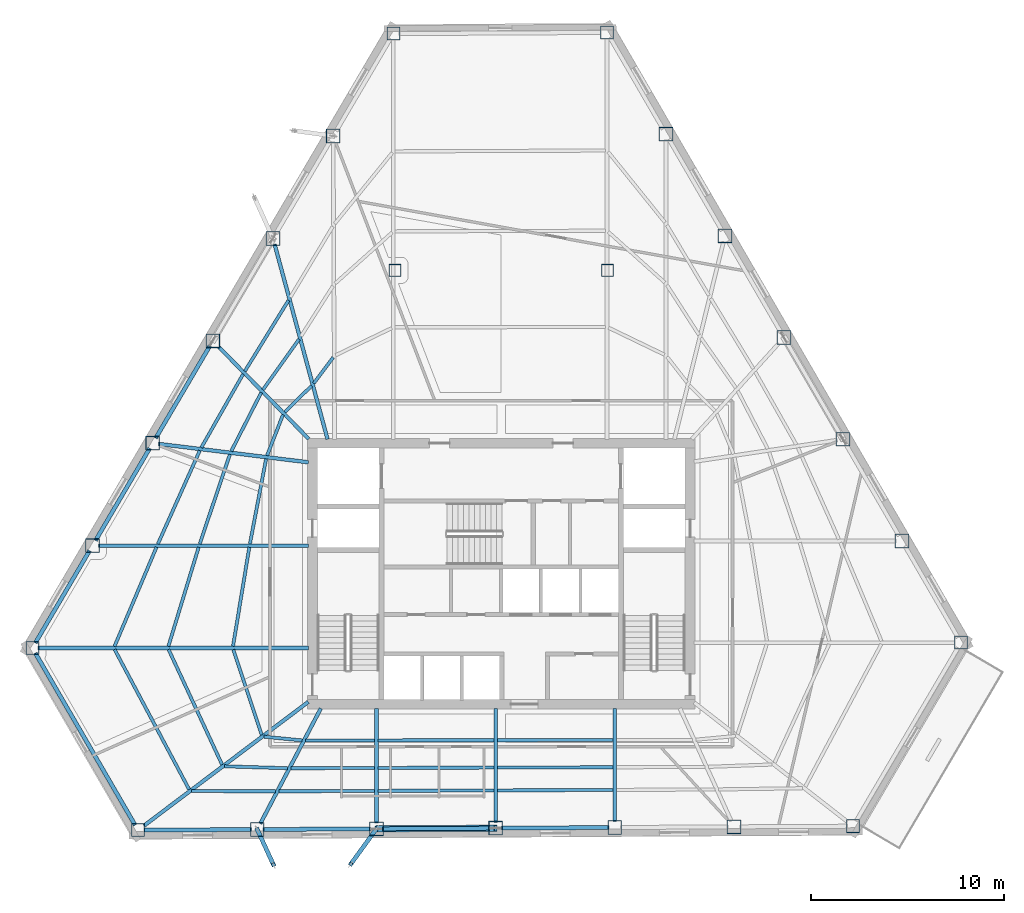
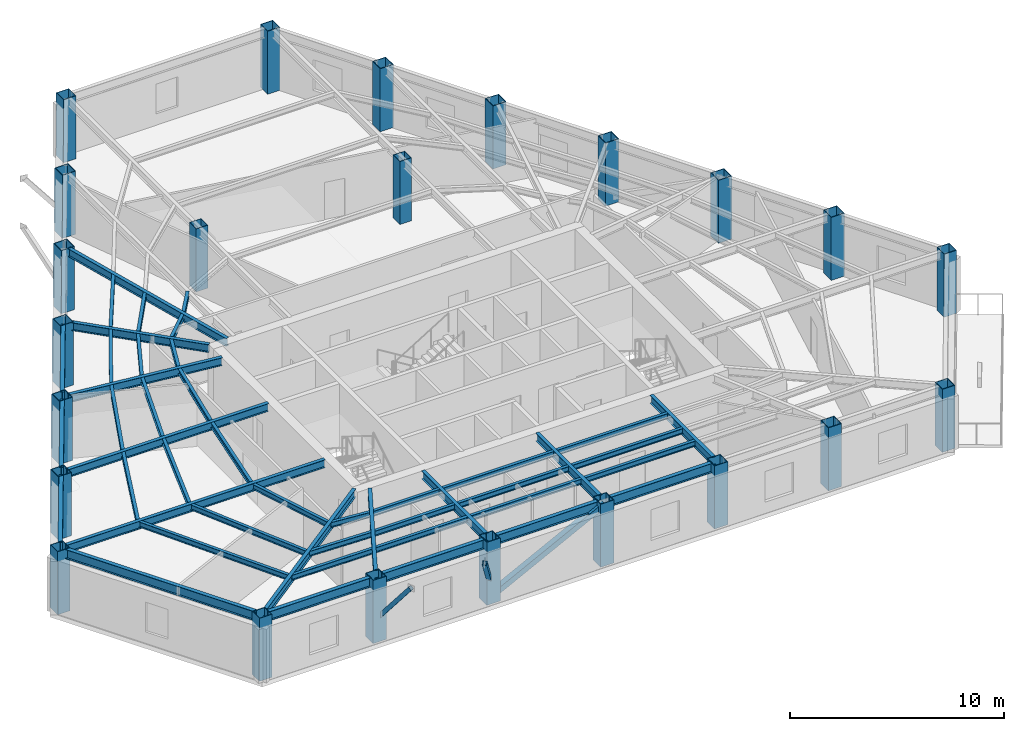
# One storey, part 1 of 11: 46 beams, 23 columns, 3 members.
"""IFC4 building model written with IfcOpenShell, lengths in metres."""

from ifc_helpers import new_model, si_unit, direction, frame, origin, origin_2d, place, context, subcontext, project, spatial, hollow_rectangle, i_section, extrude, material, material_profile, profile_set, type_object, element, save


model = new_model("IFC4")

# Units and contexts
model_context = context("Model", 3, precision=1e-05, world=origin(), true_north=direction((0.0, 1.0)))
body_context = subcontext(model_context, "Body", "Model", "MODEL_VIEW")
ifc_project = project(units=[si_unit("LENGTHUNIT", "METRE"), si_unit("AREAUNIT", "SQUARE_METRE"), si_unit("VOLUMEUNIT", "CUBIC_METRE"), si_unit("PLANEANGLEUNIT", "RADIAN"), si_unit("MASSUNIT", "GRAM", prefix="KILO")], contexts=[model_context])

# Site, building, storey
site_placement = place(None, origin())
site = spatial("IfcSite", under=ifc_project, at=site_placement, CompositionType="ELEMENT")
building_placement = place(site_placement, origin())
building = spatial("IfcBuilding", under=site, at=building_placement, Name="Kavelnor Concourse Tower", CompositionType="ELEMENT")
storey_placement = place(building_placement, frame((0.0, 0.0, 139.39990234375)))
storey = spatial("IfcBuildingStorey", under=building, at=storey_placement, Name="L35", CompositionType="ELEMENT", Elevation=139.39990234375)

# Columns
ifc_material = material(Name="Steel Grade 350", Category="steel")
ifc_material_profile_1 = material_profile(ifc_material, hollow_rectangle(XDim=0.679931640625, YDim=0.679931640625, WallThickness=0.030029296875, at=origin_2d()), Name="SHS 680x680x30")
ifc_profile_set_1 = profile_set([ifc_material_profile_1], Name="Steel Grade 350")
column_type_1 = type_object("IfcColumnType", Name="COL-FOLD-Z2", PredefinedType="COLUMN", material=ifc_profile_set_1)
for number, where, z_axis, x_axis, name in (
    (1, (32.4140625, 44.052001953125, 0.0), (0.0, 0.0, 1.0), (1.0, 0.0, 0.0), "L35 Perimeter Corner-Fold Column F0-B0"),
    (2, (13.7333984375, 12.259033203125, 0.0), (0.0, 0.0, 1.0), (1.0, 0.0, 0.0), "L35 Perimeter Corner-Fold Column F0-B6"),
    (3, (19.202880859375, 2.830810546875, 0.0), (0.0, 0.0, 1.0), (1.0, 0.0, 0.0), "L35 Perimeter Corner-Fold Column F1-B0"),
    (4, (56.211181640625, 3.036865234375, 0.0), (0.0, 0.0, 1.0), (1.0, 0.0, 0.0), "L35 Perimeter Corner-Fold Column F1-B6"),
    (5, (61.79248046875, 12.53564453125, 0.0), (0.0, 0.0, 1.0), (1.0, 0.0, 0.0), "L35 Perimeter Corner-Fold Column F2-B0"),
    (6, (43.47412109375, 44.11376953125, 0.0), (0.0, 0.0, 1.0), (1.0, 0.0, 0.0), "L35 Perimeter Corner-Fold Column F2-B6"),
):
    element("IfcColumn", number, at=place(storey_placement, frame(where, z_axis=z_axis, x_axis=x_axis)), inside=storey, type_object=column_type_1, Name=name, PredefinedType="COLUMN", context=body_context, shape_type="SweptSolid", body=[
        extrude(hollow_rectangle(XDim=0.679931640625, YDim=0.679931640625, WallThickness=0.030029296875, at=origin_2d()), origin(), (0.0, 0.0, 1.0), 3.60009765625),
    ])
ifc_material_profile_2 = material_profile(ifc_material, hollow_rectangle(XDim=0.719970703125, YDim=0.719970703125, WallThickness=0.031982421875, at=origin_2d()), Name="SHS 720x720x32")
ifc_profile_set_2 = profile_set([ifc_material_profile_2], Name="Steel Grade 350")
column_type_2 = type_object("IfcColumnType", Name="COL-TUBE-Z2", PredefinedType="COLUMN", material=ifc_profile_set_2)
for number, where, z_axis, x_axis, name in (
    (7, (29.30078125, 38.75341796875, 0.0), (0.0, 0.0, 1.0), (1.0, 0.0, 0.0), "L35 Perimeter Framed-Tube Column F0-B1"),
    (8, (26.187255859375, 33.454345703125, 0.0), (0.0, 0.0, 1.0), (1.0, 0.0, 0.0), "L35 Perimeter Framed-Tube Column F0-B2"),
    (9, (23.07373046875, 28.155517578125, 0.0), (0.0, 0.0, 1.0), (1.0, 0.0, 0.0), "L35 Perimeter Framed-Tube Column F0-B3"),
    (10, (19.96044921875, 22.856689453125, 0.0), (0.0, 0.0, 1.0), (1.0, 0.0, 0.0), "L35 Perimeter Framed-Tube Column F0-B4"),
    (11, (16.846923828125, 17.557861328125, 0.0), (0.0, 0.0, 1.0), (1.0, 0.0, 0.0), "L35 Perimeter Framed-Tube Column F0-B5"),
    (12, (25.37109375, 2.864990234375, 0.0), (0.0, 0.0, 1.0), (1.0, 0.0, 0.0), "L35 Perimeter Framed-Tube Column F1-B1"),
    (13, (31.5390625, 2.8994140625, 0.0), (0.0, 0.0, 1.0), (1.0, 0.0, 0.0), "L35 Perimeter Framed-Tube Column F1-B2"),
    (14, (37.70703125, 2.933837890625, 0.0), (0.0, 0.0, 1.0), (1.0, 0.0, 0.0), "L35 Perimeter Framed-Tube Column F1-B3"),
    (15, (43.875, 2.968017578125, 0.0), (0.0, 0.0, 1.0), (1.0, 0.0, 0.0), "L35 Perimeter Framed-Tube Column F1-B4"),
    (16, (50.043212890625, 3.00244140625, 0.0), (0.0, 0.0, 1.0), (1.0, 0.0, 0.0), "L35 Perimeter Framed-Tube Column F1-B5"),
    (17, (58.739501953125, 17.798583984375, 0.0), (0.0, 0.0, 1.0), (1.0, 0.0, 0.0), "L35 Perimeter Framed-Tube Column F2-B1"),
    (18, (55.686279296875, 23.061767578125, 0.0), (0.0, 0.0, 1.0), (1.0, 0.0, 0.0), "L35 Perimeter Framed-Tube Column F2-B2"),
    (19, (52.63330078125, 28.32470703125, 0.0), (0.0, 0.0, 1.0), (1.0, 0.0, 0.0), "L35 Perimeter Framed-Tube Column F2-B3"),
    (20, (49.580078125, 33.587646484375, 0.0), (0.0, 0.0, 1.0), (1.0, 0.0, 0.0), "L35 Perimeter Framed-Tube Column F2-B4"),
    (21, (46.527099609375, 38.8505859375, 0.0), (0.0, 0.0, 1.0), (1.0, 0.0, 0.0), "L35 Perimeter Framed-Tube Column F2-B5"),
):
    element("IfcColumn", number, at=place(storey_placement, frame(where, z_axis=z_axis, x_axis=x_axis)), inside=storey, type_object=column_type_2, Name=name, PredefinedType="COLUMN", context=body_context, shape_type="SweptSolid", body=[
        extrude(hollow_rectangle(XDim=0.719970703125, YDim=0.719970703125, WallThickness=0.031982421875, at=origin_2d()), origin(), (0.0, 0.0, 1.0), 3.60009765625),
    ])
ifc_material_profile_3 = material_profile(ifc_material, hollow_rectangle(XDim=0.639892578125, YDim=0.639892578125, WallThickness=0.028076171875, at=origin_2d()), Name="SHS 640x640x28")
ifc_profile_set_3 = profile_set([ifc_material_profile_3], Name="Steel Grade 350")
column_type_3 = type_object("IfcColumnType", Name="COL-TUBE-Z3", PredefinedType="COLUMN", material=ifc_profile_set_3)
for number, where, z_axis, x_axis, name in (
    (22, (32.5, 31.800048828125, 0.0), (0.0, 0.0, 1.0), (1.0, 0.0, 0.0), "L35 North Interior Gravity Column BC-NW"),
    (23, (43.5, 31.800048828125, 0.0), (0.0, 0.0, 1.0), (1.0, 0.0, 0.0), "L35 North Interior Gravity Column BC-NE"),
):
    element("IfcColumn", number, at=place(storey_placement, frame(where, z_axis=z_axis, x_axis=x_axis)), inside=storey, type_object=column_type_3, Name=name, PredefinedType="COLUMN", context=body_context, shape_type="SweptSolid", body=[
        extrude(hollow_rectangle(XDim=0.639892578125, YDim=0.639892578125, WallThickness=0.028076171875, at=origin_2d()), origin(), (0.0, 0.0, 1.0), 3.60009765625),
    ])

# Beams
ifc_material_profile_4 = material_profile(ifc_material, i_section(OverallWidth=0.166015625, OverallDepth=0.306884765625, WebThickness=0.006591796875, FlangeThickness=0.01171875, at=origin_2d()), Name="310UB46")
ifc_profile_set_4 = profile_set([ifc_material_profile_4], Name="Steel Grade 350")
beam_type_1 = type_object("IfcBeamType", Name="BM-JOIST-310", PredefinedType="JOIST", material=ifc_profile_set_4)
beam_1_placement = place(storey_placement, frame((24.1318359375, 12.1748046875, 3.446533203125), z_axis=(0.316227766017, -0.948683298051, 0.0), x_axis=(0.948683298051, 0.316227766017, 0.0)))
element("IfcBeam", 24, at=beam_1_placement, inside=storey, type_object=beam_type_1, Name="L35 Secondary Composite Joist 01-1", PredefinedType="JOIST", context=body_context, shape_type="SweptSolid", body=[
    extrude(i_section(OverallWidth=0.166015625, OverallDepth=0.306884765625, WebThickness=0.006591796875, FlangeThickness=0.01171875, at=origin_2d()), origin(), (0.0, 0.0, 1.0), 4.65380859375),
])
beam_2_placement = place(storey_placement, frame((20.784423828125, 12.178466796875, 3.446533203125), z_axis=(0.421412525168, -0.906869055394, 0.0), x_axis=(0.906869055394, 0.421412525168, 0.0)))
element("IfcBeam", 25, at=beam_2_placement, inside=storey, type_object=beam_type_1, Name="L35 Secondary Composite Joist 01-2", PredefinedType="JOIST", context=body_context, shape_type="SweptSolid", body=[
    extrude(i_section(OverallWidth=0.166015625, OverallDepth=0.306884765625, WebThickness=0.006591796875, FlangeThickness=0.01171875, at=origin_2d()), origin(), (0.0, 0.0, 1.0), 6.572021484375),
])
beam_3_placement = place(storey_placement, frame((17.991455078125, 12.180419921875, 3.446533203125), z_axis=(0.470004586167, -0.882663972858, 0.0), x_axis=(0.882663972858, 0.470004586167, 0.0)))
element("IfcBeam", 26, at=beam_3_placement, inside=storey, type_object=beam_type_1, Name="L35 Secondary Composite Joist 01-3", PredefinedType="JOIST", context=body_context, shape_type="SweptSolid", body=[
    extrude(i_section(OverallWidth=0.166015625, OverallDepth=0.306884765625, WebThickness=0.006591796875, FlangeThickness=0.01171875, at=origin_2d()), origin(), (0.0, 0.0, 1.0), 8.208251953125),
])
beam_4_placement = place(storey_placement, frame((25.72021484375, 7.666748046875, 3.446533203125), z_axis=(0.995265651377, -0.097191991388, 0.0), x_axis=(0.097191991388, 0.995265651377, 0.0)))
element("IfcBeam", 27, at=beam_4_placement, inside=storey, type_object=beam_type_1, Name="L35 Secondary Composite Joist 02-1", PredefinedType="JOIST", context=body_context, shape_type="SweptSolid", body=[
    extrude(i_section(OverallWidth=0.166015625, OverallDepth=0.306884765625, WebThickness=0.006591796875, FlangeThickness=0.01171875, at=origin_2d()), origin(), (0.0, 0.0, 1.0), 1.987060546875),
])
beam_5_placement = place(storey_placement, frame((23.680419921875, 6.13525390625, 3.446533203125), z_axis=(0.999537262541, -0.030418099735, 0.0), x_axis=(0.030418099735, 0.999537262541, 0.0)))
element("IfcBeam", 28, at=beam_5_placement, inside=storey, type_object=beam_type_1, Name="L35 Secondary Composite Joist 02-2", PredefinedType="JOIST", context=body_context, shape_type="SweptSolid", body=[
    extrude(i_section(OverallWidth=0.166015625, OverallDepth=0.306884765625, WebThickness=0.006591796875, FlangeThickness=0.01171875, at=origin_2d()), origin(), (0.0, 0.0, 1.0), 3.2666015625),
])
beam_6_placement = place(storey_placement, frame((21.980224609375, 4.856201171875, 3.446533203125), z_axis=(0.999993311638, -0.003657414205, 0.0), x_axis=(0.003657414205, 0.999993311638, 0.0)))
element("IfcBeam", 29, at=beam_6_placement, inside=storey, type_object=beam_type_1, Name="L35 Secondary Composite Joist 02-3", PredefinedType="JOIST", context=body_context, shape_type="SweptSolid", body=[
    extrude(i_section(OverallWidth=0.166015625, OverallDepth=0.306884765625, WebThickness=0.006591796875, FlangeThickness=0.01171875, at=origin_2d()), origin(), (0.0, 0.0, 1.0), 4.3388671875),
])
beam_7_placement = place(storey_placement, frame((27.87548828125, 7.46533203125, 3.446533203125), z_axis=(0.999995276646, 0.003073546032, 0.0), x_axis=(-0.003073546032, 0.999995276646, 0.0)))
element("IfcBeam", 30, at=beam_7_placement, inside=storey, type_object=beam_type_1, Name="L35 Secondary Composite Joist 03-1", PredefinedType="JOIST", context=body_context, shape_type="SweptSolid", body=[
    extrude(i_section(OverallWidth=0.166015625, OverallDepth=0.306884765625, WebThickness=0.006591796875, FlangeThickness=0.01171875, at=origin_2d()), origin(), (0.0, 0.0, 1.0), 3.574462890625),
])
beam_8_placement = place(storey_placement, frame((27.12353515625, 6.03369140625, 3.446533203125), z_axis=(0.999992419693, 0.003893655943, 0.0), x_axis=(-0.003893655943, 0.999992419693, 0.0)))
element("IfcBeam", 31, at=beam_8_placement, inside=storey, type_object=beam_type_1, Name="L35 Secondary Composite Joist 03-2", PredefinedType="JOIST", context=body_context, shape_type="SweptSolid", body=[
    extrude(i_section(OverallWidth=0.166015625, OverallDepth=0.306884765625, WebThickness=0.006591796875, FlangeThickness=0.01171875, at=origin_2d()), origin(), (0.0, 0.0, 1.0), 4.326416015625),
])
beam_9_placement = place(storey_placement, frame((26.4970703125, 4.840576171875, 3.446533203125), z_axis=(0.999990377053, 0.004387003675, 0.0), x_axis=(-0.004387003675, 0.999990377053, 0.0)))
element("IfcBeam", 32, at=beam_9_placement, inside=storey, type_object=beam_type_1, Name="L35 Secondary Composite Joist 03-3", PredefinedType="JOIST", context=body_context, shape_type="SweptSolid", body=[
    extrude(i_section(OverallWidth=0.166015625, OverallDepth=0.306884765625, WebThickness=0.006591796875, FlangeThickness=0.01171875, at=origin_2d()), origin(), (0.0, 0.0, 1.0), 4.952880859375),
])
for number, where, z_axis, x_axis, name in (
    (33, (31.6279296875, 7.476806640625, 3.446533203125), (0.999998800599, 0.001548805968, 0.0), (-0.001548805968, 0.999998800599, 0.0), "L35 Secondary Composite Joist 04-1"),
    (34, (31.6279296875, 6.05126953125, 3.446533203125), (0.999995812914, 0.002893813031, 0.0), (-0.002893813031, 0.999995812914, 0.0), "L35 Secondary Composite Joist 04-2"),
    (35, (31.6279296875, 4.86328125, 3.446533203125), (0.999992022904, 0.003994262003, 0.0), (-0.003994262003, 0.999992022904, 0.0), "L35 Secondary Composite Joist 04-3"),
):
    element("IfcBeam", number, at=place(storey_placement, frame(where, z_axis=z_axis, x_axis=x_axis)), inside=storey, type_object=beam_type_1, Name=name, PredefinedType="JOIST", context=body_context, shape_type="SweptSolid", body=[
        extrude(i_section(OverallWidth=0.166015625, OverallDepth=0.306884765625, WebThickness=0.006591796875, FlangeThickness=0.01171875, at=origin_2d()), origin(), (0.0, 0.0, 1.0), 5.989990234375),
    ])
for number, where, z_axis, x_axis, name in (
    (36, (37.7958984375, 7.486328125, 3.446533203125), (0.999998800697, 0.001548742844, 0.0), (-0.001548742844, 0.999998800697, 0.0), "L35 Secondary Composite Joist 05-1"),
    (37, (37.7958984375, 6.069091796875, 3.446533203125), (0.999995813256, 0.002893695091, 0.0), (-0.002893695091, 0.999995813256, 0.0), "L35 Secondary Composite Joist 05-2"),
    (38, (37.7958984375, 4.887939453125, 3.446533203125), (0.999992023554, 0.003994099214, 0.0), (-0.003994099214, 0.999992023554, 0.0), "L35 Secondary Composite Joist 05-3"),
):
    element("IfcBeam", number, at=place(storey_placement, frame(where, z_axis=z_axis, x_axis=x_axis)), inside=storey, type_object=beam_type_1, Name=name, PredefinedType="JOIST", context=body_context, shape_type="SweptSolid", body=[
        extrude(i_section(OverallWidth=0.166015625, OverallDepth=0.306884765625, WebThickness=0.006591796875, FlangeThickness=0.01171875, at=origin_2d()), origin(), (0.0, 0.0, 1.0), 5.990234375),
    ])
beam_10_placement = place(storey_placement, frame((29.30029296875, 27.298828125, 3.446533203125), z_axis=(-0.599510134576, -0.800367164832, 0.0), x_axis=(0.800367164832, -0.599510134576, 0.0)))
element("IfcBeam", 39, at=beam_10_placement, inside=storey, type_object=beam_type_1, Name="L35 Secondary Composite Joist 17-1", PredefinedType="JOIST", context=body_context, shape_type="SweptSolid", body=[
    extrude(i_section(OverallWidth=0.166015625, OverallDepth=0.306884765625, WebThickness=0.006591796875, FlangeThickness=0.01171875, at=origin_2d()), origin(), (0.0, 0.0, 1.0), 1.675048828125),
])
beam_11_placement = place(storey_placement, frame((28.17919921875, 25.82470703125, 3.446533203125), z_axis=(-0.713827809727, -0.700321253469, 0.0), x_axis=(0.700321253469, -0.713827809727, 0.0)))
element("IfcBeam", 40, at=beam_11_placement, inside=storey, type_object=beam_type_1, Name="L35 Secondary Composite Joist 18-1", PredefinedType="JOIST", context=body_context, shape_type="SweptSolid", body=[
    extrude(i_section(OverallWidth=0.166015625, OverallDepth=0.306884765625, WebThickness=0.006591796875, FlangeThickness=0.01171875, at=origin_2d()), origin(), (0.0, 0.0, 1.0), 1.93408203125),
])
beam_12_placement = place(storey_placement, frame((27.533203125, 28.236572265625, 3.446533203125), z_axis=(-0.581360539013, -0.813646067819, 0.0), x_axis=(0.813646067819, -0.581360539013, 0.0)))
element("IfcBeam", 41, at=beam_12_placement, inside=storey, type_object=beam_type_1, Name="L35 Secondary Composite Joist 18-2", PredefinedType="JOIST", context=body_context, shape_type="SweptSolid", body=[
    extrude(i_section(OverallWidth=0.166015625, OverallDepth=0.306884765625, WebThickness=0.006591796875, FlangeThickness=0.01171875, at=origin_2d()), origin(), (0.0, 0.0, 1.0), 3.208740234375),
])
beam_13_placement = place(storey_placement, frame((26.989990234375, 30.251708984375, 3.446533203125), z_axis=(-0.524502055355, -0.851409181257, 0.0), x_axis=(0.851409181257, -0.524502055355, 0.0)))
element("IfcBeam", 42, at=beam_13_placement, inside=storey, type_object=beam_type_1, Name="L35 Secondary Composite Joist 18-3", PredefinedType="JOIST", context=body_context, shape_type="SweptSolid", body=[
    extrude(i_section(OverallWidth=0.166015625, OverallDepth=0.306884765625, WebThickness=0.006591796875, FlangeThickness=0.01171875, at=origin_2d()), origin(), (0.0, 0.0, 1.0), 4.308349609375),
])
beam_14_placement = place(storey_placement, frame((26.70263671875, 24.324951171875, 3.446533203125), z_axis=(-0.363752544718, -0.931495617924, 0.0), x_axis=(0.931495617924, -0.363752544718, 0.0)))
element("IfcBeam", 43, at=beam_14_placement, inside=storey, type_object=beam_type_1, Name="L35 Secondary Composite Joist 19-1", PredefinedType="JOIST", context=body_context, shape_type="SweptSolid", body=[
    extrude(i_section(OverallWidth=0.166015625, OverallDepth=0.306884765625, WebThickness=0.006591796875, FlangeThickness=0.01171875, at=origin_2d()), origin(), (0.0, 0.0, 1.0), 2.26318359375),
])
beam_15_placement = place(storey_placement, frame((25.575439453125, 25.47412109375, 3.446533203125), z_axis=(-0.455167901004, -0.890405627731, 0.0), x_axis=(0.890405627731, -0.455167901004, 0.0)))
element("IfcBeam", 44, at=beam_15_placement, inside=storey, type_object=beam_type_1, Name="L35 Secondary Composite Joist 19-2", PredefinedType="JOIST", context=body_context, shape_type="SweptSolid", body=[
    extrude(i_section(OverallWidth=0.166015625, OverallDepth=0.306884765625, WebThickness=0.006591796875, FlangeThickness=0.01171875, at=origin_2d()), origin(), (0.0, 0.0, 1.0), 3.405517578125),
])
beam_16_placement = place(storey_placement, frame((24.639404296875, 26.430419921875, 3.446533203125), z_axis=(-0.494550433922, -0.869148933329, 0.0), x_axis=(0.869148933329, -0.494550433922, 0.0)))
element("IfcBeam", 45, at=beam_16_placement, inside=storey, type_object=beam_type_1, Name="L35 Secondary Composite Joist 19-3", PredefinedType="JOIST", context=body_context, shape_type="SweptSolid", body=[
    extrude(i_section(OverallWidth=0.166015625, OverallDepth=0.306884765625, WebThickness=0.006591796875, FlangeThickness=0.01171875, at=origin_2d()), origin(), (0.0, 0.0, 1.0), 4.371826171875),
])
beam_17_placement = place(storey_placement, frame((25.83056640625, 22.04638671875, 3.446533203125), z_axis=(-0.187127132049, -0.982335704559, 0.0), x_axis=(0.982335704559, -0.187127132049, 0.0)))
element("IfcBeam", 46, at=beam_17_placement, inside=storey, type_object=beam_type_1, Name="L35 Secondary Composite Joist 20-1", PredefinedType="JOIST", context=body_context, shape_type="SweptSolid", body=[
    extrude(i_section(OverallWidth=0.166015625, OverallDepth=0.306884765625, WebThickness=0.006591796875, FlangeThickness=0.01171875, at=origin_2d()), origin(), (0.0, 0.0, 1.0), 4.480224609375),
])
beam_18_placement = place(storey_placement, frame((23.95654296875, 22.2783203125, 3.446533203125), z_axis=(-0.319325013599, -0.947645258359, 0.0), x_axis=(0.947645258359, -0.319325013599, 0.0)))
element("IfcBeam", 47, at=beam_18_placement, inside=storey, type_object=beam_type_1, Name="L35 Secondary Composite Joist 20-2", PredefinedType="JOIST", context=body_context, shape_type="SweptSolid", body=[
    extrude(i_section(OverallWidth=0.166015625, OverallDepth=0.306884765625, WebThickness=0.006591796875, FlangeThickness=0.01171875, at=origin_2d()), origin(), (0.0, 0.0, 1.0), 4.892333984375),
])
beam_19_placement = place(storey_placement, frame((22.396728515625, 22.471923828125, 3.446533203125), z_axis=(-0.409454192255, -0.912330677137, 0.0), x_axis=(0.912330677137, -0.409454192255, 0.0)))
element("IfcBeam", 48, at=beam_19_placement, inside=storey, type_object=beam_type_1, Name="L35 Secondary Composite Joist 20-3", PredefinedType="JOIST", context=body_context, shape_type="SweptSolid", body=[
    extrude(i_section(OverallWidth=0.166015625, OverallDepth=0.306884765625, WebThickness=0.006591796875, FlangeThickness=0.01171875, at=origin_2d()), origin(), (0.0, 0.0, 1.0), 5.297119140625),
])
beam_20_placement = place(storey_placement, frame((24.961181640625, 17.47021484375, 3.446533203125), z_axis=(-0.162362764314, -0.986731134993, 0.0), x_axis=(0.986731134993, -0.162362764314, 0.0)))
element("IfcBeam", 49, at=beam_20_placement, inside=storey, type_object=beam_type_1, Name="L35 Secondary Composite Joist 21-1", PredefinedType="JOIST", context=body_context, shape_type="SweptSolid", body=[
    extrude(i_section(OverallWidth=0.166015625, OverallDepth=0.306884765625, WebThickness=0.006591796875, FlangeThickness=0.01171875, at=origin_2d()), origin(), (0.0, 0.0, 1.0), 5.192138671875),
])
beam_21_placement = place(storey_placement, frame((22.340087890625, 17.472900390625, 3.446533203125), z_axis=(-0.292226631824, -0.956349097167, 0.0), x_axis=(0.956349097167, -0.292226631824, 0.0)))
element("IfcBeam", 50, at=beam_21_placement, inside=storey, type_object=beam_type_1, Name="L35 Secondary Composite Joist 21-2", PredefinedType="JOIST", context=body_context, shape_type="SweptSolid", body=[
    extrude(i_section(OverallWidth=0.166015625, OverallDepth=0.306884765625, WebThickness=0.006591796875, FlangeThickness=0.01171875, at=origin_2d()), origin(), (0.0, 0.0, 1.0), 5.36279296875),
])
beam_22_placement = place(storey_placement, frame((20.15673828125, 17.475830078125, 3.446533203125), z_axis=(-0.389634276835, -0.92096966851, 0.0), x_axis=(0.92096966851, -0.389634276835, 0.0)))
element("IfcBeam", 51, at=beam_22_placement, inside=storey, type_object=beam_type_1, Name="L35 Secondary Composite Joist 21-3", PredefinedType="JOIST", context=body_context, shape_type="SweptSolid", body=[
    extrude(i_section(OverallWidth=0.166015625, OverallDepth=0.306884765625, WebThickness=0.006591796875, FlangeThickness=0.01171875, at=origin_2d()), origin(), (0.0, 0.0, 1.0), 5.575439453125),
])
ifc_material_profile_5 = material_profile(ifc_material, i_section(OverallWidth=0.18994140625, OverallDepth=0.4541015625, WebThickness=0.008544921875, FlangeThickness=0.0126953125, at=origin_2d()), Name="460UB67")
ifc_profile_set_5 = profile_set([ifc_material_profile_5], Name="Steel Grade 350")
beam_type_2 = type_object("IfcBeamType", Name="BM-PRIMARY-460", PredefinedType="BEAM", material=ifc_profile_set_5)
beam_23_placement = place(storey_placement, frame((29.01025390625, 23.061279296875, 3.373046875), z_axis=(-0.26212955002, 0.965032693232, 0.0), x_axis=(-0.965032693232, -0.26212955002, 0.0)))
element("IfcBeam", 52, at=beam_23_placement, inside=storey, type_object=beam_type_2, Name="L35 Primary Floor Girder F0-B2", PredefinedType="BEAM", context=body_context, shape_type="SweptSolid", body=[
    extrude(i_section(OverallWidth=0.18994140625, OverallDepth=0.4541015625, WebThickness=0.008544921875, FlangeThickness=0.0126953125, at=origin_2d()), origin(), (0.0, 0.0, 1.0), 10.45751953125),
])
beam_24_placement = place(storey_placement, frame((28.040283203125, 23.0712890625, 3.373046875), z_axis=(-0.698770442421, 0.71534597839, 0.0), x_axis=(-0.71534597839, -0.698770442421, 0.0)))
element("IfcBeam", 53, at=beam_24_placement, inside=storey, type_object=beam_type_2, Name="L35 Primary Floor Girder F0-B3", PredefinedType="BEAM", context=body_context, shape_type="SweptSolid", body=[
    extrude(i_section(OverallWidth=0.18994140625, OverallDepth=0.4541015625, WebThickness=0.008544921875, FlangeThickness=0.0126953125, at=origin_2d()), origin(), (0.0, 0.0, 1.0), 6.672119140625),
])
beam_25_placement = place(storey_placement, frame((28.019775390625, 21.8671875, 3.373046875), z_axis=(-0.992546968096, 0.121862693732, 0.0), x_axis=(-0.121862693732, -0.992546968096, 0.0)))
element("IfcBeam", 54, at=beam_25_placement, inside=storey, type_object=beam_type_2, Name="L35 Primary Floor Girder F0-B4", PredefinedType="BEAM", context=body_context, shape_type="SweptSolid", body=[
    extrude(i_section(OverallWidth=0.18994140625, OverallDepth=0.4541015625, WebThickness=0.008544921875, FlangeThickness=0.0126953125, at=origin_2d()), origin(), (0.0, 0.0, 1.0), 7.8173828125),
])
beam_26_placement = place(storey_placement, frame((28.02001953125, 17.557861328125, 3.373046875), z_axis=(-1.0, 0.0, 0.0), x_axis=(0.0, -1.0, 0.0)))
element("IfcBeam", 55, at=beam_26_placement, inside=storey, type_object=beam_type_2, Name="L35 Primary Floor Girder F0-B5", PredefinedType="BEAM", context=body_context, shape_type="SweptSolid", body=[
    extrude(i_section(OverallWidth=0.18994140625, OverallDepth=0.4541015625, WebThickness=0.008544921875, FlangeThickness=0.0126953125, at=origin_2d()), origin(), (0.0, 0.0, 1.0), 10.873046875),
])
beam_27_placement = place(storey_placement, frame((28.02001953125, 12.259033203125, 3.373046875), z_axis=(-1.0, 0.0, 0.0), x_axis=(0.0, -1.0, 0.0)))
element("IfcBeam", 56, at=beam_27_placement, inside=storey, type_object=beam_type_2, Name="L35 Primary Floor Girder F0-B6", PredefinedType="BEAM", context=body_context, shape_type="SweptSolid", body=[
    extrude(i_section(OverallWidth=0.18994140625, OverallDepth=0.4541015625, WebThickness=0.008544921875, FlangeThickness=0.0126953125, at=origin_2d()), origin(), (0.0, 0.0, 1.0), 13.986572265625),
])
beam_28_placement = place(storey_placement, frame((28.011962890625, 9.468994140625, 3.373046875), z_axis=(-0.798632776416, -0.601818650786, 0.0), x_axis=(0.601818650786, -0.798632776416, 0.0)))
element("IfcBeam", 57, at=beam_28_placement, inside=storey, type_object=beam_type_2, Name="L35 Primary Floor Girder F1-B0", PredefinedType="BEAM", context=body_context, shape_type="SweptSolid", body=[
    extrude(i_section(OverallWidth=0.18994140625, OverallDepth=0.4541015625, WebThickness=0.008544921875, FlangeThickness=0.0126953125, at=origin_2d()), origin(), (0.0, 0.0, 1.0), 10.64453125),
])
beam_29_placement = place(storey_placement, frame((28.66357421875, 9.135498046875, 3.373046875), z_axis=(-0.464893545028, -0.885366586105, 0.0), x_axis=(0.885366586105, -0.464893545028, 0.0)))
element("IfcBeam", 58, at=beam_29_placement, inside=storey, type_object=beam_type_2, Name="L35 Primary Floor Girder F1-B1", PredefinedType="BEAM", context=body_context, shape_type="SweptSolid", body=[
    extrude(i_section(OverallWidth=0.18994140625, OverallDepth=0.4541015625, WebThickness=0.008544921875, FlangeThickness=0.0126953125, at=origin_2d()), origin(), (0.0, 0.0, 1.0), 6.73828125),
])
beam_30_placement = place(storey_placement, frame((31.5390625, 9.139892578125, 3.373046875), z_axis=(0.0, -1.0, 0.0), x_axis=(1.0, 0.0, 0.0)))
element("IfcBeam", 59, at=beam_30_placement, inside=storey, type_object=beam_type_2, Name="L35 Primary Floor Girder F1-B2", PredefinedType="BEAM", context=body_context, shape_type="SweptSolid", body=[
    extrude(i_section(OverallWidth=0.18994140625, OverallDepth=0.4541015625, WebThickness=0.008544921875, FlangeThickness=0.0126953125, at=origin_2d()), origin(), (0.0, 0.0, 1.0), 5.9404296875),
])
beam_31_placement = place(storey_placement, frame((37.70703125, 9.139892578125, 3.373046875), z_axis=(0.0, -1.0, 0.0), x_axis=(1.0, 0.0, 0.0)))
element("IfcBeam", 60, at=beam_31_placement, inside=storey, type_object=beam_type_2, Name="L35 Primary Floor Girder F1-B3", PredefinedType="BEAM", context=body_context, shape_type="SweptSolid", body=[
    extrude(i_section(OverallWidth=0.18994140625, OverallDepth=0.4541015625, WebThickness=0.008544921875, FlangeThickness=0.0126953125, at=origin_2d()), origin(), (0.0, 0.0, 1.0), 5.906005859375),
])
beam_32_placement = place(storey_placement, frame((43.875, 9.139892578125, 3.373046875), z_axis=(0.0, -1.0, 0.0), x_axis=(1.0, 0.0, 0.0)))
element("IfcBeam", 61, at=beam_32_placement, inside=storey, type_object=beam_type_2, Name="L35 Primary Floor Girder F1-B4", PredefinedType="BEAM", context=body_context, shape_type="SweptSolid", body=[
    extrude(i_section(OverallWidth=0.18994140625, OverallDepth=0.4541015625, WebThickness=0.008544921875, FlangeThickness=0.0126953125, at=origin_2d()), origin(), (0.0, 0.0, 1.0), 5.871826171875),
])
ifc_material_profile_6 = material_profile(ifc_material, i_section(OverallWidth=0.208984375, OverallDepth=0.532958984375, WebThickness=0.01025390625, FlangeThickness=0.015625, at=origin_2d()), Name="530UB92")
ifc_profile_set_6 = profile_set([ifc_material_profile_6], Name="Steel Grade 350")
beam_type_3 = type_object("IfcBeamType", Name="BM-SPANDREL-Z2", PredefinedType="SPANDREL", material=ifc_profile_set_6)
beam_33_placement = place(storey_placement, frame((22.919189453125, 27.892578125, 3.33349609375), z_axis=(-0.506580606167, -0.862192605777, 0.0), x_axis=(0.862192605777, -0.506580606167, 0.0)))
element("IfcBeam", 62, at=beam_33_placement, inside=storey, type_object=beam_type_3, Name="L35 Perimeter Tube Spandrel Beam F0-B3", PredefinedType="SPANDREL", context=body_context, shape_type="SweptSolid", body=[
    extrude(i_section(OverallWidth=0.208984375, OverallDepth=0.532958984375, WebThickness=0.01025390625, FlangeThickness=0.015625, at=origin_2d()), origin(), (0.0, 0.0, 1.0), 5.53564453125),
])
beam_34_placement = place(storey_placement, frame((19.805908203125, 22.59375, 3.33349609375), z_axis=(-0.506594127896, -0.862184660952, 0.0), x_axis=(0.862184660952, -0.506594127896, 0.0)))
element("IfcBeam", 63, at=beam_34_placement, inside=storey, type_object=beam_type_3, Name="L35 Perimeter Tube Spandrel Beam F0-B4", PredefinedType="SPANDREL", context=body_context, shape_type="SweptSolid", body=[
    extrude(i_section(OverallWidth=0.208984375, OverallDepth=0.532958984375, WebThickness=0.01025390625, FlangeThickness=0.015625, at=origin_2d()), origin(), (0.0, 0.0, 1.0), 5.535888671875),
])
beam_35_placement = place(storey_placement, frame((16.6923828125, 17.294921875, 3.33349609375), z_axis=(-0.50661339106, -0.862173342199, 0.0), x_axis=(0.862173342199, -0.50661339106, 0.0)))
element("IfcBeam", 64, at=beam_35_placement, inside=storey, type_object=beam_type_3, Name="L35 Perimeter Tube Spandrel Beam F0-B5", PredefinedType="SPANDREL", context=body_context, shape_type="SweptSolid", body=[
    extrude(i_section(OverallWidth=0.208984375, OverallDepth=0.532958984375, WebThickness=0.01025390625, FlangeThickness=0.015625, at=origin_2d()), origin(), (0.0, 0.0, 1.0), 5.53564453125),
])
beam_36_placement = place(storey_placement, frame((19.5078125, 2.83251953125, 3.33349609375), z_axis=(0.999984684624, 0.00553448433, 0.0), x_axis=(-0.00553448433, 0.999984684624, 0.0)))
element("IfcBeam", 65, at=beam_36_placement, inside=storey, type_object=beam_type_3, Name="L35 Perimeter Tube Spandrel Beam F1-B0", PredefinedType="SPANDREL", context=body_context, shape_type="SweptSolid", body=[
    extrude(i_section(OverallWidth=0.208984375, OverallDepth=0.532958984375, WebThickness=0.01025390625, FlangeThickness=0.015625, at=origin_2d()), origin(), (0.0, 0.0, 1.0), 5.55810546875),
])
beam_37_placement = place(storey_placement, frame((25.676025390625, 2.86669921875, 3.33349609375), z_axis=(0.999984439197, 0.005578652483, 0.0), x_axis=(-0.005578652483, 0.999984439197, 0.0)))
element("IfcBeam", 66, at=beam_37_placement, inside=storey, type_object=beam_type_3, Name="L35 Perimeter Tube Spandrel Beam F1-B1", PredefinedType="SPANDREL", context=body_context, shape_type="SweptSolid", body=[
    extrude(i_section(OverallWidth=0.208984375, OverallDepth=0.532958984375, WebThickness=0.01025390625, FlangeThickness=0.015625, at=origin_2d()), origin(), (0.0, 0.0, 1.0), 5.557861328125),
])
for number, where, z_axis, x_axis, name in (
    (67, (31.843994140625, 2.901123046875, 3.33349609375), (0.999984440564, 0.005578407448, 0.0), (-0.005578407448, 0.999984440564, 0.0), "L35 Perimeter Tube Spandrel Beam F1-B2"),
    (68, (38.011962890625, 2.935546875, 3.33349609375), (0.999984684624, 0.00553448433, 0.0), (-0.00553448433, 0.999984684624, 0.0), "L35 Perimeter Tube Spandrel Beam F1-B3"),
):
    element("IfcBeam", number, at=place(storey_placement, frame(where, z_axis=z_axis, x_axis=x_axis)), inside=storey, type_object=beam_type_3, Name=name, PredefinedType="SPANDREL", context=body_context, shape_type="SweptSolid", body=[
        extrude(i_section(OverallWidth=0.208984375, OverallDepth=0.532958984375, WebThickness=0.01025390625, FlangeThickness=0.015625, at=origin_2d()), origin(), (0.0, 0.0, 1.0), 5.55810546875),
    ])
beam_38_placement = place(storey_placement, frame((13.886474609375, 11.995361328125, 3.33349609375), z_axis=(0.50177774049, -0.864996589096, 0.0), x_axis=(0.864996589096, 0.50177774049, 0.0)))
element("IfcBeam", 69, at=beam_38_placement, inside=storey, type_object=beam_type_3, Name="L35 Chamfer Facet Spandrel Beam C1", PredefinedType="SPANDREL", context=body_context, shape_type="SweptSolid", body=[
    extrude(i_section(OverallWidth=0.208984375, OverallDepth=0.532958984375, WebThickness=0.01025390625, FlangeThickness=0.015625, at=origin_2d()), origin(), (0.0, 0.0, 1.0), 10.2900390625),
])

# Members
ifc_material_profile_7 = material_profile(ifc_material, hollow_rectangle(XDim=0.219970703125, YDim=0.219970703125, WallThickness=0.013916015625, at=origin_2d()), Name="SHS 220x220x14")
ifc_profile_set_7 = profile_set([ifc_material_profile_7], Name="Steel Grade 350")
member_type_1 = type_object("IfcMemberType", Name="MBR-BALC-STRUT-220", PredefinedType="STRUT", material=ifc_profile_set_7)
member_1_placement = place(storey_placement, frame((25.37109375, 2.864990234375, 1.050048828125), z_axis=(0.255203132596, -0.554573183137, 0.792035318441), x_axis=(0.908428581941, 0.418040083619, 0.0)))
element("IfcMember", 70, at=member_1_placement, inside=storey, type_object=member_type_1, Name="L35 Tree Balcony Raking Knee Strut 2-A", PredefinedType="STRUT", context=body_context, shape_type="SweptSolid", body=[
    extrude(hollow_rectangle(XDim=0.219970703125, YDim=0.219970703125, WallThickness=0.013916015625, at=origin_2d()), origin(), (0.0, 0.0, 1.0), 3.2890625),
])
member_2_placement = place(storey_placement, frame((31.5390625, 2.8994140625, 1.050048828125), z_axis=(-0.385273106771, -0.530237156499, 0.755257036423), x_axis=(0.808992860896, -0.587818467742, 0.0)))
element("IfcMember", 71, at=member_2_placement, inside=storey, type_object=member_type_1, Name="L35 Tree Balcony Raking Knee Strut 2-B", PredefinedType="STRUT", context=body_context, shape_type="SweptSolid", body=[
    extrude(hollow_rectangle(XDim=0.219970703125, YDim=0.219970703125, WallThickness=0.013916015625, at=origin_2d()), origin(), (0.0, 0.0, 1.0), 3.44921875),
])
ifc_material_profile_8 = material_profile(ifc_material, hollow_rectangle(XDim=0.320068359375, YDim=0.320068359375, WallThickness=0.01806640625, at=origin_2d()), Name="SHS 320x320x18")
ifc_profile_set_8 = profile_set([ifc_material_profile_8], Name="Steel Grade 350")
member_type_2 = type_object("IfcMemberType", Name="MBR-TUBE-DIAG-Z2", PredefinedType="BRACE", material=ifc_profile_set_8)
member_3_placement = place(storey_placement, frame((31.5390625, 2.8994140625, 0.22021484375), z_axis=(0.892713557706, 0.004982291468, 0.45059702691), x_axis=(-0.005580977046, 0.999984426226, 0.0)))
element("IfcMember", 72, at=member_3_placement, inside=storey, type_object=member_type_2, Name="L35 Framed-Tube Bracing Diagonal F1-B2", PredefinedType="BRACE", context=body_context, shape_type="SweptSolid", body=[
    extrude(hollow_rectangle(XDim=0.320068359375, YDim=0.320068359375, WallThickness=0.01806640625, at=origin_2d()), origin(), (0.0, 0.0, 1.0), 6.9091796875),
])

save(model, "model.ifc")
